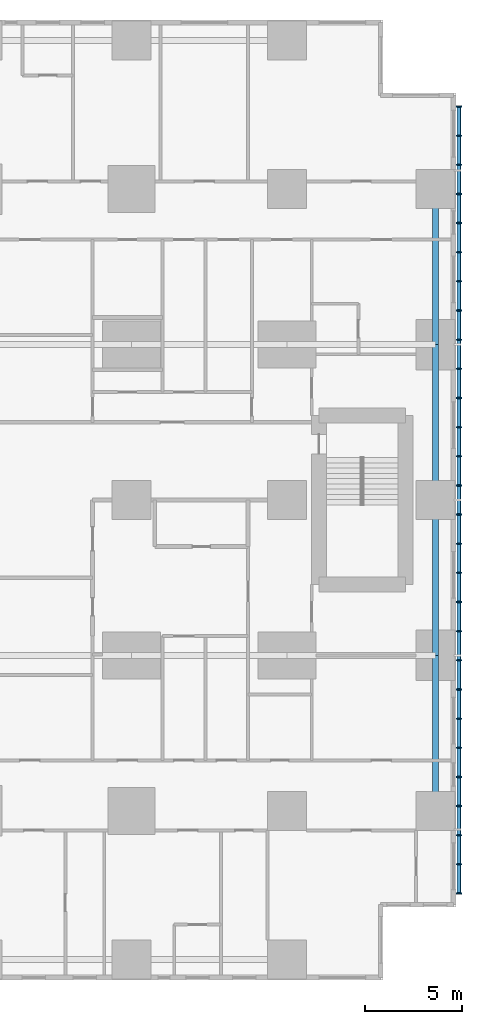
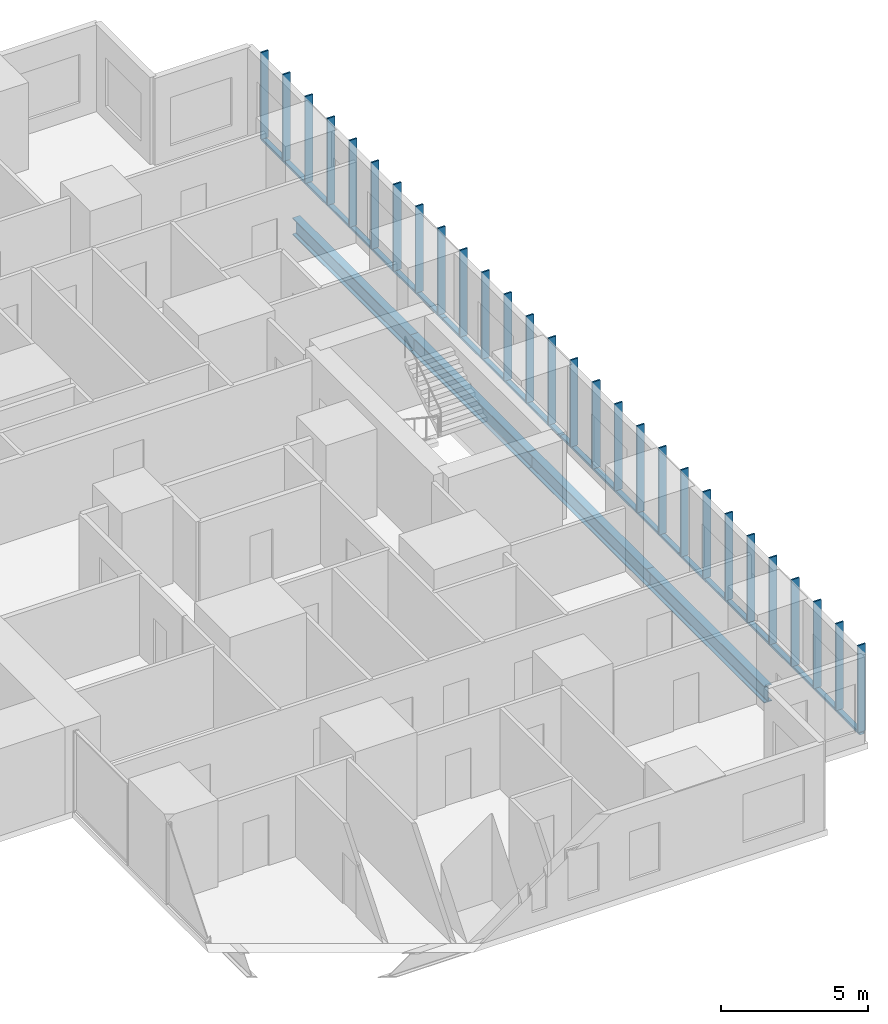
# One storey, part 6 of 20: 32 members, 4 beams.
"""IFC4 building model written with IfcOpenShell, lengths in metres."""

from ifc_helpers import new_model, si_unit, direction, frame, origin, origin_2d, place, context, subcontext, project, spatial, rectangle, hollow_rectangle, i_section, extrude, material, material_profile, profile_set, type_object, element, save


model = new_model("IFC4")

# Units and contexts
model_context = context("Model", 3, precision=1e-05, world=origin(), true_north=direction((0.0, 1.0)))
body_context = subcontext(model_context, "Body", "Model", "MODEL_VIEW")
ifc_project = project(units=[si_unit("LENGTHUNIT", "METRE"), si_unit("AREAUNIT", "SQUARE_METRE"), si_unit("VOLUMEUNIT", "CUBIC_METRE"), si_unit("PLANEANGLEUNIT", "RADIAN"), si_unit("MASSUNIT", "GRAM", prefix="KILO")], contexts=[model_context])

# Site, building, storey
site_placement = place(None, origin())
site = spatial("IfcSite", under=ifc_project, at=site_placement, CompositionType="ELEMENT")
building_placement = place(site_placement, origin())
building = spatial("IfcBuilding", under=site, at=building_placement, Name="Cleftline Residences", CompositionType="ELEMENT")
storey_placement = place(building_placement, frame((0.0, 0.0, 69.199951171875)))
storey = spatial("IfcBuildingStorey", under=building, at=storey_placement, Name="L17", CompositionType="ELEMENT", Elevation=69.199951171875)

# Members
ifc_material_1 = material(Name="Steel S355, hot-dip galvanised", Category="steel")
ifc_material_profile_1 = material_profile(ifc_material_1, hollow_rectangle(XDim=0.10009765625, YDim=0.199951171875, WallThickness=0.008056640625, InnerFilletRadius=0.008056640625, OuterFilletRadius=0.011962890625, at=origin_2d()))
ifc_profile_set_1 = profile_set([ifc_material_profile_1], Name="Steel S355, hot-dip galvanised")
member_type_1 = type_object("IfcMemberType", Name="BAGUETTE CARRIER RHS 200X100X8", PredefinedType="USERDEFINED", material=ifc_profile_set_1)
member_1_placement = place(storey_placement, frame((66.85009765625, 3.699951171875, -0.050048828125), z_axis=(0.0, 1.0, 0.0), x_axis=(0.0, 0.0, 1.0)))
element("IfcMember", 1, at=member_1_placement, inside=storey, type_object=member_type_1, Name="Baguette carrier", ObjectType="BAGUETTE CARRIER", PredefinedType="USERDEFINED", context=body_context, shape_type="SweptSolid", body=[
    extrude(hollow_rectangle(XDim=0.10009765625, YDim=0.199951171875, WallThickness=0.008056640625, InnerFilletRadius=0.008056640625, OuterFilletRadius=0.011962890625, at=origin_2d()), origin(), (0.0, 0.0, 1.0), 12.300048828125),
])
for number, where, z_axis, x_axis, name in (
    (2, (66.85009765625, 16.0, -0.050048828125), (0.0, 1.0, 0.0), (0.0, 0.0, 1.0), "Baguette carrier"),
    (3, (66.85009765625, 24.0, -0.050048828125), (0.0, 1.0, 0.0), (0.0, 0.0, 1.0), "Baguette carrier"),
):
    element("IfcMember", number, at=place(storey_placement, frame(where, z_axis=z_axis, x_axis=x_axis)), inside=storey, type_object=member_type_1, Name=name, ObjectType="BAGUETTE CARRIER", PredefinedType="USERDEFINED", context=body_context, shape_type="SweptSolid", body=[
        extrude(hollow_rectangle(XDim=0.10009765625, YDim=0.199951171875, WallThickness=0.008056640625, InnerFilletRadius=0.008056640625, OuterFilletRadius=0.011962890625, at=origin_2d()), origin(), (0.0, 0.0, 1.0), 8.0),
    ])
member_2_placement = place(storey_placement, frame((66.85009765625, 32.0, -0.050048828125), z_axis=(0.0, 1.0, 0.0), x_axis=(0.0, 0.0, 1.0)))
element("IfcMember", 4, at=member_2_placement, inside=storey, type_object=member_type_1, Name="Baguette carrier", ObjectType="BAGUETTE CARRIER", PredefinedType="USERDEFINED", context=body_context, shape_type="SweptSolid", body=[
    extrude(hollow_rectangle(XDim=0.10009765625, YDim=0.199951171875, WallThickness=0.008056640625, InnerFilletRadius=0.008056640625, OuterFilletRadius=0.011962890625, at=origin_2d()), origin(), (0.0, 0.0, 1.0), 12.300048828125),
])

# Beams
ifc_material_2 = material(Name="Steel S355", Category="steel")
ifc_material_profile_2 = material_profile(ifc_material_2, i_section(OverallWidth=0.300048828125, OverallDepth=0.699951171875, WebThickness=0.01708984375, FlangeThickness=0.031982421875, FilletRadius=0.027099609375, at=origin_2d()))
ifc_profile_set_2 = profile_set([ifc_material_profile_2], Name="Steel S355")
beam_type = type_object("IfcBeamType", Name="BEAM HEB 700", PredefinedType="BEAM", material=ifc_profile_set_2)
for number, where, z_axis, x_axis, name in (
    (5, (65.64990234375, 8.0, -0.599853515625), (0.0, 1.0, 0.0), (-1.0, 0.0, 0.0), "Edge beam"),
    (6, (65.64990234375, 16.0, -0.599853515625), (0.0, 1.0, 0.0), (-1.0, 0.0, 0.0), "Edge beam"),
    (7, (65.64990234375, 24.0, -0.599853515625), (0.0, 1.0, 0.0), (-1.0, 0.0, 0.0), "Edge beam"),
    (8, (65.64990234375, 32.0, -0.599853515625), (0.0, 1.0, 0.0), (-1.0, 0.0, 0.0), "Edge beam"),
):
    element("IfcBeam", number, at=place(storey_placement, frame(where, z_axis=z_axis, x_axis=x_axis)), inside=storey, type_object=beam_type, Name=name, PredefinedType="BEAM", context=body_context, shape_type="SweptSolid", body=[
        extrude(i_section(OverallWidth=0.300048828125, OverallDepth=0.699951171875, WebThickness=0.01708984375, FlangeThickness=0.031982421875, FilletRadius=0.027099609375, at=origin_2d()), origin(), (0.0, 0.0, 1.0), 8.0),
    ])

# Members
ifc_material_3 = material(Name="Extruded terracotta", Category="masonry")
ifc_material_profile_3 = material_profile(ifc_material_3, rectangle(XDim=0.06005859375, YDim=0.300048828125, at=origin_2d()))
ifc_profile_set_3 = profile_set([ifc_material_profile_3], Name="Extruded terracotta")
member_type_2 = type_object("IfcMemberType", Name="TERRACOTTA BAGUETTE 60X300", PredefinedType="USERDEFINED", material=ifc_profile_set_3)
for number, where, z_axis, x_axis, name in (
    (9, (66.85009765625, 3.75, 0.0), (0.0, 0.0, 1.0), (0.0, 1.0, 0.0), "Terracotta baguette"),
    (10, (66.85009765625, 5.25, 0.0), (0.0, 0.0, 1.0), (0.0, 1.0, 0.0), "Terracotta baguette"),
    (11, (66.85009765625, 6.75, 0.0), (0.0, 0.0, 1.0), (0.0, 1.0, 0.0), "Terracotta baguette"),
    (12, (66.85009765625, 8.25, 0.0), (0.0, 0.0, 1.0), (0.0, 1.0, 0.0), "Terracotta baguette"),
    (13, (66.85009765625, 9.75, 0.0), (0.0, 0.0, 1.0), (0.0, 1.0, 0.0), "Terracotta baguette"),
    (14, (66.85009765625, 11.25, 0.0), (0.0, 0.0, 1.0), (0.0, 1.0, 0.0), "Terracotta baguette"),
    (15, (66.85009765625, 12.75, 0.0), (0.0, 0.0, 1.0), (0.0, 1.0, 0.0), "Terracotta baguette"),
    (16, (66.85009765625, 14.25, 0.0), (0.0, 0.0, 1.0), (0.0, 1.0, 0.0), "Terracotta baguette"),
    (17, (66.85009765625, 15.75, 0.0), (0.0, 0.0, 1.0), (0.0, 1.0, 0.0), "Terracotta baguette"),
    (18, (66.85009765625, 17.25, 0.0), (0.0, 0.0, 1.0), (0.0, 1.0, 0.0), "Terracotta baguette"),
    (19, (66.85009765625, 18.75, 0.0), (0.0, 0.0, 1.0), (0.0, 1.0, 0.0), "Terracotta baguette"),
    (20, (66.85009765625, 20.25, 0.0), (0.0, 0.0, 1.0), (0.0, 1.0, 0.0), "Terracotta baguette"),
    (21, (66.85009765625, 21.75, 0.0), (0.0, 0.0, 1.0), (0.0, 1.0, 0.0), "Terracotta baguette"),
    (22, (66.85009765625, 23.25, 0.0), (0.0, 0.0, 1.0), (0.0, 1.0, 0.0), "Terracotta baguette"),
    (23, (66.85009765625, 24.75, 0.0), (0.0, 0.0, 1.0), (0.0, 1.0, 0.0), "Terracotta baguette"),
    (24, (66.85009765625, 26.25, 0.0), (0.0, 0.0, 1.0), (0.0, 1.0, 0.0), "Terracotta baguette"),
    (25, (66.85009765625, 27.75, 0.0), (0.0, 0.0, 1.0), (0.0, 1.0, 0.0), "Terracotta baguette"),
    (26, (66.85009765625, 29.25, 0.0), (0.0, 0.0, 1.0), (0.0, 1.0, 0.0), "Terracotta baguette"),
    (27, (66.85009765625, 30.75, 0.0), (0.0, 0.0, 1.0), (0.0, 1.0, 0.0), "Terracotta baguette"),
    (28, (66.85009765625, 32.25, 0.0), (0.0, 0.0, 1.0), (0.0, 1.0, 0.0), "Terracotta baguette"),
    (29, (66.85009765625, 33.75, 0.0), (0.0, 0.0, 1.0), (0.0, 1.0, 0.0), "Terracotta baguette"),
    (30, (66.85009765625, 35.25, 0.0), (0.0, 0.0, 1.0), (0.0, 1.0, 0.0), "Terracotta baguette"),
    (31, (66.85009765625, 36.75, 0.0), (0.0, 0.0, 1.0), (0.0, 1.0, 0.0), "Terracotta baguette"),
    (32, (66.85009765625, 38.25, 0.0), (0.0, 0.0, 1.0), (0.0, 1.0, 0.0), "Terracotta baguette"),
    (33, (66.85009765625, 39.75, 0.0), (0.0, 0.0, 1.0), (0.0, 1.0, 0.0), "Terracotta baguette"),
    (34, (66.85009765625, 41.25, 0.0), (0.0, 0.0, 1.0), (0.0, 1.0, 0.0), "Terracotta baguette"),
    (35, (66.85009765625, 42.75, 0.0), (0.0, 0.0, 1.0), (0.0, 1.0, 0.0), "Terracotta baguette"),
    (36, (66.85009765625, 44.25, 0.0), (0.0, 0.0, 1.0), (0.0, 1.0, 0.0), "Terracotta baguette"),
):
    element("IfcMember", number, at=place(storey_placement, frame(where, z_axis=z_axis, x_axis=x_axis)), inside=storey, type_object=member_type_2, Name=name, ObjectType="BAGUETTE", PredefinedType="USERDEFINED", context=body_context, shape_type="SweptSolid", body=[
        extrude(rectangle(XDim=0.06005859375, YDim=0.300048828125, at=origin_2d()), origin(), (0.0, 0.0, 1.0), 3.60009765625),
    ])

save(model, "model.ifc")
